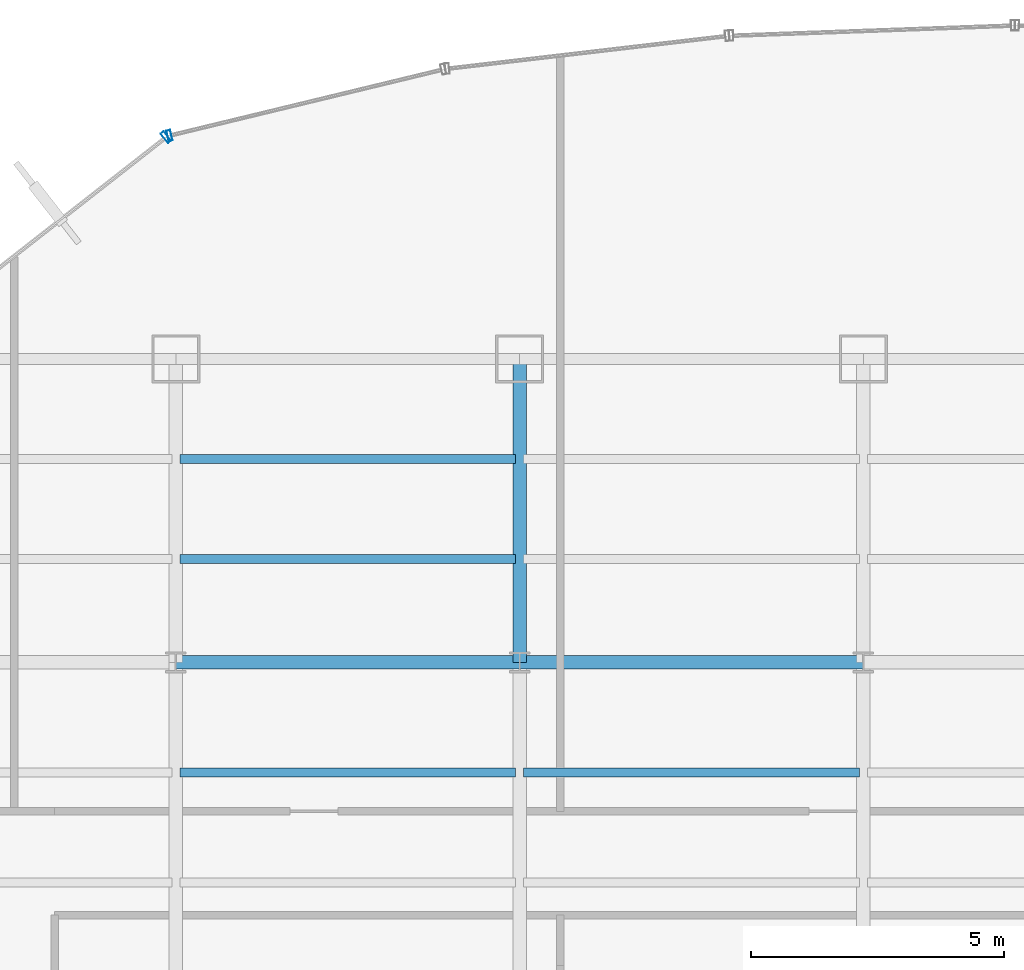
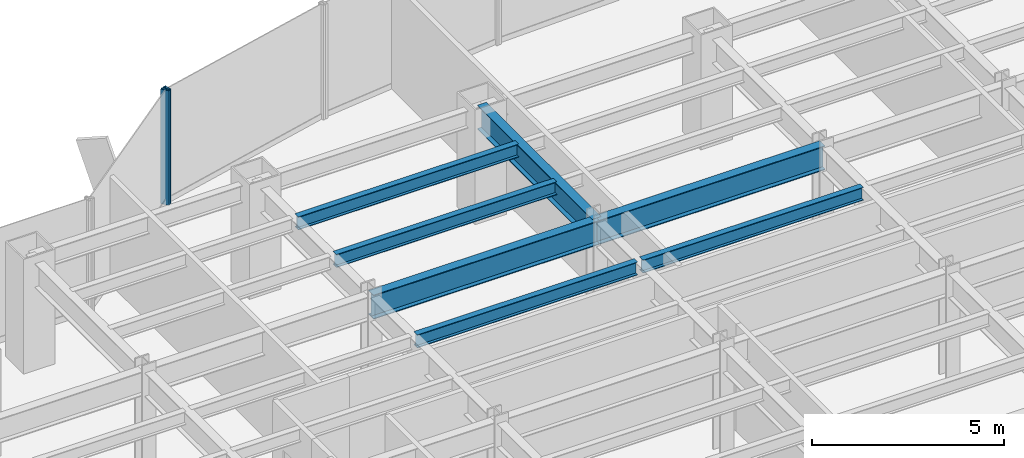
# One storey, part 11 of 23: 7 beams, 2 members, 2 elements without a shape of their own.
"""IFC4 building model written with IfcOpenShell, lengths in metres."""

import ifcopenshell
import ifcopenshell.guid

model = None  # the IFC model being written
_history = None  # IfcOwnerHistory: only IFC2X3 demands one
_inside = {}  # id of a spatial element -> (the spatial element, [elements in it])
_under = {}  # id of a project, library or spatial element -> (it, [spatial elements below it])
_declared = {}  # id of a project -> (the project, [libraries it declares])
_typed = {}  # id of a type object -> (the type object, [elements of that type])
_made_of = {}  # id of a material, layer set ... -> (it, [elements and type objects made of it])


def new_model(schema):
    """Start an empty IFC model of exactly this schema.

    Asked for "IFC4X3", IfcOpenShell would pick the latest addendum, in which some entities
    have other attributes; the version numbers below select the first issue.
    IFC2X3 requires an IfcOwnerHistory on every rooted entity: one is made here for all.
    """
    global model, _history
    if schema == "IFC4X3":
        model = ifcopenshell.file(schema_version=(4, 3, 0, 0))
    else:
        model = ifcopenshell.file(schema=schema)
    _inside.clear()
    _under.clear()
    _declared.clear()
    _typed.clear()
    _made_of.clear()
    _history = None
    if model.schema == "IFC2X3":
        org = make("IfcOrganization", Name="unknown")
        user = make(
            "IfcPersonAndOrganization",
            ThePerson=make("IfcPerson", FamilyName="unknown"),
            TheOrganization=org,
        )
        app = make(
            "IfcApplication",
            ApplicationDeveloper=org,
            Version="unknown",
            ApplicationFullName="unknown",
            ApplicationIdentifier="unknown",
        )
        _history = make(
            "IfcOwnerHistory",
            OwningUser=user,
            OwningApplication=app,
            ChangeAction="ADDED",
            CreationDate=0,
        )
    return model


def make(cls, **values):
    """One entity of the class cls with the attributes given. An attribute that is None is left unset."""
    return model.create_entity(
        cls, **{name: value for name, value in values.items() if value is not None}
    )


def rooted(cls, **values):
    """An entity with a GlobalId (a new one), such as an element, a storey or a relation."""
    return make(cls, GlobalId=ifcopenshell.guid.new(), OwnerHistory=_history, **values)


def si_unit(unit_type, name, prefix=None):
    """IfcSIUnit, for example si_unit("LENGTHUNIT", "METRE", prefix="MILLI")."""
    return make("IfcSIUnit", UnitType=unit_type, Prefix=prefix, Name=name)


def derived_unit(unit_type, elements):
    """IfcDerivedUnit: a product of units, each with its exponent."""
    return make(
        "IfcDerivedUnit",
        Elements=[
            make("IfcDerivedUnitElement", Unit=unit, Exponent=power)
            for unit, power in elements
        ],
        UnitType=unit_type,
    )


def assignment(units):
    """IfcUnitAssignment: the units of a project."""
    return None if units is None else make("IfcUnitAssignment", Units=units)


def point(xyz):
    """IfcCartesianPoint."""
    return None if xyz is None else make("IfcCartesianPoint", Coordinates=xyz)


def direction(xyz):
    """IfcDirection."""
    return None if xyz is None else make("IfcDirection", DirectionRatios=xyz)


def frame(location, z_axis=None, x_axis=None):
    """IfcAxis2Placement3D, a coordinate frame: its origin and axes. An axis left out is left unset."""
    return make(
        "IfcAxis2Placement3D",
        Location=point(location),
        Axis=direction(z_axis),
        RefDirection=direction(x_axis),
    )


def frame_2d(location, x_axis=None):
    """IfcAxis2Placement2D, a coordinate frame in the plane: its origin and x axis."""
    return make(
        "IfcAxis2Placement2D", Location=point(location), RefDirection=direction(x_axis)
    )


def origin():
    """The frame at (0, 0, 0) with its axes left unset."""
    return frame((0.0, 0.0, 0.0))


def origin_2d():
    """The frame at (0, 0) in the plane with its x axis left unset."""
    return frame_2d((0.0, 0.0))


def place(relative_to, where):
    """IfcLocalPlacement: puts the frame where relative to a parent placement (None: the world)."""
    return make(
        "IfcLocalPlacement", PlacementRelTo=relative_to, RelativePlacement=where
    )


def context(
    kind, dimensions, precision=None, world=None, true_north=None, identifier=None
):
    """IfcGeometricRepresentationContext, for example the 3D "Model" context."""
    return make(
        "IfcGeometricRepresentationContext",
        ContextIdentifier=identifier,
        ContextType=kind,
        CoordinateSpaceDimension=dimensions,
        Precision=precision,
        WorldCoordinateSystem=world,
        TrueNorth=true_north,
    )


def subcontext(parent, identifier, kind, view, scale=None):
    """IfcGeometricRepresentationSubContext, for example "Body" below "Model"."""
    return make(
        "IfcGeometricRepresentationSubContext",
        ContextIdentifier=identifier,
        ContextType=kind,
        ParentContext=parent,
        TargetScale=scale,
        TargetView=view,
    )


def project(units=None, contexts=None):
    """IfcProject with its units and contexts."""
    return rooted(
        "IfcProject",
        Name="project",
        RepresentationContexts=contexts,
        UnitsInContext=assignment(units),
    )


def spatial(cls, under=None, at=None, **own):
    """A site, building, storey or space (cls), placed at a placement, below another one or the project."""
    s = rooted(cls, ObjectPlacement=at, **own)
    if under is not None:
        _under.setdefault(under.id(), (under, []))[1].append(s)
    return s


def profile(cls, at=None, kind="AREA", **sizes):
    """A parametric profile (cls). Its sizes go by their IFC names, for example OverallWidth=200.0."""
    return make(cls, ProfileType=kind, Position=at, **sizes)


def hollow_rectangle(**sizes):
    """IfcRectangleHollowProfileDef."""
    return profile("IfcRectangleHollowProfileDef", **sizes)


def i_section(**sizes):
    """IfcIShapeProfileDef."""
    return profile("IfcIShapeProfileDef", **sizes)


def extrude(swept, where, along, depth):
    """IfcExtrudedAreaSolid: the profile swept, set in the frame where, extruded along a direction by depth."""
    return make(
        "IfcExtrudedAreaSolid",
        SweptArea=swept,
        Position=where,
        ExtrudedDirection=direction(along),
        Depth=depth,
    )


def shape(context_of_items, identifier, shape_type, items):
    """IfcShapeRepresentation: the items that make up one representation, for example the "Body"."""
    return make(
        "IfcShapeRepresentation",
        ContextOfItems=context_of_items,
        RepresentationIdentifier=identifier,
        RepresentationType=shape_type,
        Items=items,
    )


def source(mapping_origin, context_of_items, identifier, shape_type, items):
    """IfcRepresentationMap: a shape defined once, which mapped items show again and again."""
    return make(
        "IfcRepresentationMap",
        MappingOrigin=mapping_origin,
        MappedRepresentation=shape(context_of_items, identifier, shape_type, items),
    )


def transform(
    local_origin,
    x_axis=None,
    y_axis=None,
    z_axis=None,
    scale=None,
    scale2=None,
    scale3=None,
    uniform=True,
):
    """IfcCartesianTransformationOperator3D, or its non-uniform kind. x_axis, y_axis, z_axis: its Axis1, 2, 3."""
    if uniform:
        return make(
            "IfcCartesianTransformationOperator3D",
            Axis1=direction(x_axis),
            Axis2=direction(y_axis),
            LocalOrigin=point(local_origin),
            Scale=scale,
            Axis3=direction(z_axis),
        )
    return make(
        "IfcCartesianTransformationOperator3DnonUniform",
        Axis1=direction(x_axis),
        Axis2=direction(y_axis),
        LocalOrigin=point(local_origin),
        Scale=scale,
        Axis3=direction(z_axis),
        Scale2=scale2,
        Scale3=scale3,
    )


def mapped(mapping_source, mapping_target):
    """IfcMappedItem: shows the shape of a source again, moved by a transform."""
    return make(
        "IfcMappedItem", MappingSource=mapping_source, MappingTarget=mapping_target
    )


def material(Name=None, Category=None):
    """IfcMaterial."""
    return make("IfcMaterial", Name=Name, Category=Category)


def material_profile(
    of_material, cross_section, Name=None, Category=None, Priority=None
):
    """IfcMaterialProfile: a cross section and its material."""
    return make(
        "IfcMaterialProfile",
        Name=Name,
        Material=of_material,
        Profile=cross_section,
        Priority=Priority,
        Category=Category,
    )


def profile_set(profiles, Name=None, composite=None):
    """IfcMaterialProfileSet."""
    return make(
        "IfcMaterialProfileSet",
        Name=Name,
        MaterialProfiles=profiles,
        CompositeProfile=composite,
    )


def made_of(thing, what):
    """Note that an element or type object is made of a material, layer set ...; save() writes the relation."""
    if what is not None:
        _made_of.setdefault(what.id(), (what, []))[1].append(thing)
    return thing


def type_object(cls, material=None, **own):
    """A type object (cls), such as IfcWallType, which elements share."""
    return made_of(rooted(cls, **own), material)


def element(
    cls,
    number,
    at=None,
    inside=None,
    cuts=None,
    type_object=None,
    material=None,
    context=None,
    identifier="Body",
    shape_type=None,
    held_by="IfcProductDefinitionShape",
    body=None,
    shapes=None,
    **own,
):
    """One element of the class cls, such as IfcWall. Its Tag is "e" and its number.

    at: its placement. inside: the storey or other place that contains it. cuts: it is an
    opening in that element (IfcRelVoidsElement). A single representation is given by context,
    identifier, shape_type and body (its items); several are given by shapes. held_by: the class
    of the entity that holds the representations. save() writes the other relations.
    """
    e = rooted(cls, Tag="e%d" % number, ObjectPlacement=at, **own)
    if body is not None:
        shapes = [shape(context, identifier, shape_type, body)]
    if shapes is not None:
        e.Representation = make(held_by, Representations=shapes)
    if inside is not None:
        _inside.setdefault(inside.id(), (inside, []))[1].append(e)
    if cuts is not None:
        rooted(
            "IfcRelVoidsElement", RelatingBuildingElement=cuts, RelatedOpeningElement=e
        )
    if type_object is not None:
        _typed.setdefault(type_object.id(), (type_object, []))[1].append(e)
    return made_of(e, material)


def aggregate(whole, parts):
    """IfcRelAggregates: a whole, such as a stair, and the parts it consists of."""
    return rooted("IfcRelAggregates", RelatingObject=whole, RelatedObjects=parts)


def save(model, path):
    """Write the relations noted so far, then the file.

    IfcRelAggregates (storeys below a building ...), IfcRelContainedInSpatialStructure (elements
    in a storey), IfcRelDefinesByType, IfcRelAssociatesMaterial and IfcRelDeclares: one each for
    every whole, place, type object, material and project.
    """
    for whole, parts in _under.values():
        aggregate(whole, parts)
    for where, things in _inside.values():
        rooted(
            "IfcRelContainedInSpatialStructure",
            RelatedElements=things,
            RelatingStructure=where,
        )
    for kind, things in _typed.values():
        rooted("IfcRelDefinesByType", RelatedObjects=things, RelatingType=kind)
    for what, things in _made_of.values():
        rooted("IfcRelAssociatesMaterial", RelatedObjects=things, RelatingMaterial=what)
    for by, libraries in _declared.values():
        rooted("IfcRelDeclares", RelatingContext=by, RelatedDefinitions=libraries)
    model.write(path)


model = new_model("IFC4")

# Units and contexts
model_context = context("Model", 3, precision=1e-05, world=origin(), true_north=direction((0.0, 1.0)))
body_context = subcontext(model_context, "Body", "Model", "MODEL_VIEW")
ifc_project = project(units=[si_unit("LENGTHUNIT", "METRE"), si_unit("AREAUNIT", "SQUARE_METRE"), si_unit("VOLUMEUNIT", "CUBIC_METRE"), si_unit("PLANEANGLEUNIT", "RADIAN"), si_unit("MASSUNIT", "GRAM", prefix="KILO"), derived_unit("THERMALTRANSMITTANCEUNIT", [(si_unit("POWERUNIT", "WATT"), 1), (si_unit("LENGTHUNIT", "METRE"), -2), (si_unit("THERMODYNAMICTEMPERATUREUNIT", "KELVIN"), -1)])], contexts=[model_context])

# Site, building, storey
site_placement = place(None, origin())
site = spatial("IfcSite", under=ifc_project, at=site_placement, CompositionType="ELEMENT")
building_placement = place(site_placement, origin())
building = spatial("IfcBuilding", under=site, at=building_placement, Name="Skarnbrae Concourse Arena and Tower", CompositionType="ELEMENT")
storey_placement = place(building_placement, frame((0.0, 0.0, 54.39990234375)))
storey = spatial("IfcBuildingStorey", under=building, at=storey_placement, Name="L12", CompositionType="ELEMENT", Elevation=54.39990234375)

# Beams
ifc_material_1 = material(Name="Steel CSA G40.21 350W", Category="steel")
ifc_material_profile_1 = material_profile(ifc_material_1, i_section(OverallWidth=0.26806640625, OverallDepth=0.77001953125, WebThickness=0.015625, FlangeThickness=0.025390625, at=origin_2d()), Name="W760X196")
ifc_profile_set_1 = profile_set([ifc_material_profile_1], Name="Steel CSA G40.21 350W")
beam_type_1 = type_object("IfcBeamType", Name="BM-GIRD-W760X196", PredefinedType="BEAM", material=ifc_profile_set_1)
shared_shape_1 = source(origin(), body_context, "Body", "SweptSolid", [
    extrude(i_section(OverallWidth=0.26806640625, OverallDepth=0.77001953125, WebThickness=0.015625, FlangeThickness=0.025390625, at=origin_2d()), origin(), (0.0, 0.0, 1.0), 6.800048828125),
])
for number, where, z_axis, x_axis, name in (
    (1, (14.39990234375, 34.39990234375, 3.01513671875), (1.0, 0.0, 0.0), (0.0, 1.0, 0.0), "L12 Primary E-W girder Y34.4-3"),
    (2, (21.199951171875, 34.39990234375, 3.01513671875), (1.0, 0.0, 0.0), (0.0, 1.0, 0.0), "L12 Primary E-W girder Y34.4-4"),
):
    element("IfcBeam", number, at=place(storey_placement, frame(where, z_axis=z_axis, x_axis=x_axis)), inside=storey, type_object=beam_type_1, Name=name, PredefinedType="BEAM", context=body_context, shape_type="MappedRepresentation", body=[
        mapped(shared_shape_1, transform((0.0, 0.0, 0.0))),
    ])
shared_shape_2 = source(origin(), body_context, "Body", "SweptSolid", [
    extrude(i_section(OverallWidth=0.26806640625, OverallDepth=0.77001953125, WebThickness=0.015625, FlangeThickness=0.025390625, at=origin_2d()), origin(), (0.0, 0.0, 1.0), 6.0),
])
beam_1_placement = place(storey_placement, frame((21.199951171875, 34.39990234375, 3.01513671875), z_axis=(0.0, 1.0, 0.0), x_axis=(-1.0, 0.0, 0.0)))
element("IfcBeam", 3, at=beam_1_placement, inside=storey, type_object=beam_type_1, Name="L12 Primary N-S girder X21.2-4", PredefinedType="BEAM", context=body_context, shape_type="MappedRepresentation", body=[
    mapped(shared_shape_2, transform((0.0, 0.0, 0.0))),
])
ifc_material_profile_2 = material_profile(ifc_material_1, i_section(OverallWidth=0.180908203125, OverallDepth=0.4169921875, WebThickness=0.010986328125, FlangeThickness=0.018310546875, at=origin_2d()), Name="W410X85")
ifc_profile_set_2 = profile_set([ifc_material_profile_2], Name="Steel CSA G40.21 350W")
beam_type_2 = type_object("IfcBeamType", Name="BM-JOIST-W410X85", PredefinedType="JOIST", material=ifc_profile_set_2)
shared_shape_3 = source(origin(), body_context, "Body", "SweptSolid", [
    extrude(i_section(OverallWidth=0.180908203125, OverallDepth=0.4169921875, WebThickness=0.010986328125, FlangeThickness=0.018310546875, at=origin_2d()), origin(), (0.0, 0.0, 1.0), 6.64013671875),
])
for number, where, z_axis, x_axis, name in (
    (4, (14.47998046875, 32.221923828125, 3.191650390625), (1.0, 0.0, 0.0), (0.0, 1.0, 0.0), "L12 Secondary floor joist 3.2.3"),
    (5, (14.47998046875, 36.43994140625, 3.191650390625), (1.0, 0.0, 0.0), (0.0, 1.0, 0.0), "L12 Secondary floor joist 4.1.2"),
    (6, (14.47998046875, 38.419921875, 3.191650390625), (1.0, 0.0, 0.0), (0.0, 1.0, 0.0), "L12 Secondary floor joist 4.2.2"),
):
    element("IfcBeam", number, at=place(storey_placement, frame(where, z_axis=z_axis, x_axis=x_axis)), inside=storey, type_object=beam_type_2, Name=name, PredefinedType="JOIST", context=body_context, shape_type="MappedRepresentation", body=[
        mapped(shared_shape_3, transform((0.0, 0.0, 0.0))),
    ])
shared_shape_4 = source(origin(), body_context, "Body", "SweptSolid", [
    extrude(i_section(OverallWidth=0.180908203125, OverallDepth=0.4169921875, WebThickness=0.010986328125, FlangeThickness=0.018310546875, at=origin_2d()), origin(), (0.0, 0.0, 1.0), 6.639892578125),
])
beam_2_placement = place(storey_placement, frame((21.280029296875, 32.221923828125, 3.191650390625), z_axis=(1.0, 0.0, 0.0), x_axis=(0.0, 1.0, 0.0)))
element("IfcBeam", 7, at=beam_2_placement, inside=storey, type_object=beam_type_2, Name="L12 Secondary floor joist 3.2.4", PredefinedType="JOIST", context=body_context, shape_type="MappedRepresentation", body=[
    mapped(shared_shape_4, transform((0.0, 0.0, 0.0))),
])

# Curtain wall, member
ifc_material_2 = material(Name="Bronze anodised aluminium 6063-T6", Category="aluminium")
curtain_wall_type_1 = type_object("IfcCurtainWallType", Name="CW-SYS-02-LOWZONE", PredefinedType="USERDEFINED", material=ifc_material_2)
curtain_wall_1_placement = place(storey_placement, origin())
curtain_wall_1 = element("IfcCurtainWall", 8, at=curtain_wall_1_placement, inside=storey, type_object=curtain_wall_type_1, Name="L12 Unitised curtain wall CW-L12-E15", ObjectType="UNITISED CURTAIN WALL", PredefinedType="USERDEFINED")
ifc_material_profile_3 = material_profile(ifc_material_2, hollow_rectangle(XDim=0.080078125, YDim=0.239990234375, WallThickness=0.0048828125, at=origin_2d()), Name="ALU-MULL-80X240")
ifc_profile_set_3 = profile_set([ifc_material_profile_3], Name="Bronze anodised aluminium 6063-T6")
member_type_1 = type_object("IfcMemberType", Name="CWM-CW-02", PredefinedType="MULLION", material=ifc_profile_set_3)
shared_shape_5 = source(origin(), body_context, "Body", "SweptSolid", [
    extrude(hollow_rectangle(XDim=0.080078125, YDim=0.239990234375, WallThickness=0.0048828125, at=origin_2d()), origin(), (0.0, 0.0, 1.0), 3.650146484375),
])
member_1_placement = place(storey_placement, frame((14.2021484375, 44.787109375, 0.0), z_axis=(0.0, 0.0, 1.0), x_axis=(-0.787651726054, -0.616120733658, 0.0)))
member_1 = element("IfcMember", 9, at=member_1_placement, type_object=member_type_1, Name="CW-L12-E15 Mullion 1", PredefinedType="MULLION", context=body_context, shape_type="MappedRepresentation", body=[
    mapped(shared_shape_5, transform((0.0, 0.0, 0.0))),
])
aggregate(curtain_wall_1, [member_1])

curtain_wall_type_2 = type_object("IfcCurtainWallType", Name="CW-SYS-03-PORTAL", PredefinedType="USERDEFINED", material=ifc_material_2)
curtain_wall_2_placement = place(storey_placement, origin())
curtain_wall_2 = element("IfcCurtainWall", 10, at=curtain_wall_2_placement, inside=storey, type_object=curtain_wall_type_2, Name="L12 Unitised curtain wall CW-L12-E14", ObjectType="UNITISED CURTAIN WALL", PredefinedType="USERDEFINED")
ifc_material_profile_4 = material_profile(ifc_material_2, hollow_rectangle(XDim=0.080078125, YDim=0.2099609375, WallThickness=0.00439453125, at=origin_2d()), Name="ALU-MULL-80X210")
ifc_profile_set_4 = profile_set([ifc_material_profile_4], Name="Bronze anodised aluminium 6063-T6")
member_type_2 = type_object("IfcMemberType", Name="CWM-CW-03", PredefinedType="MULLION", material=ifc_profile_set_4)
shared_shape_6 = source(origin(), body_context, "Body", "SweptSolid", [
    extrude(hollow_rectangle(XDim=0.080078125, YDim=0.2099609375, WallThickness=0.00439453125, at=origin_2d()), origin(), (0.0, 0.0, 1.0), 3.650146484375),
])
member_2_placement = place(storey_placement, frame((14.272705078125, 44.821044921875, 0.0), z_axis=(0.0, 0.0, 1.0), x_axis=(-0.971973721569, -0.235089524607, 0.0)))
member_2 = element("IfcMember", 11, at=member_2_placement, type_object=member_type_2, Name="CW-L12-E14 Mullion 2", PredefinedType="MULLION", context=body_context, shape_type="MappedRepresentation", body=[
    mapped(shared_shape_6, transform((0.0, 0.0, 0.0))),
])
aggregate(curtain_wall_2, [member_2])

save(model, "model.ifc")
